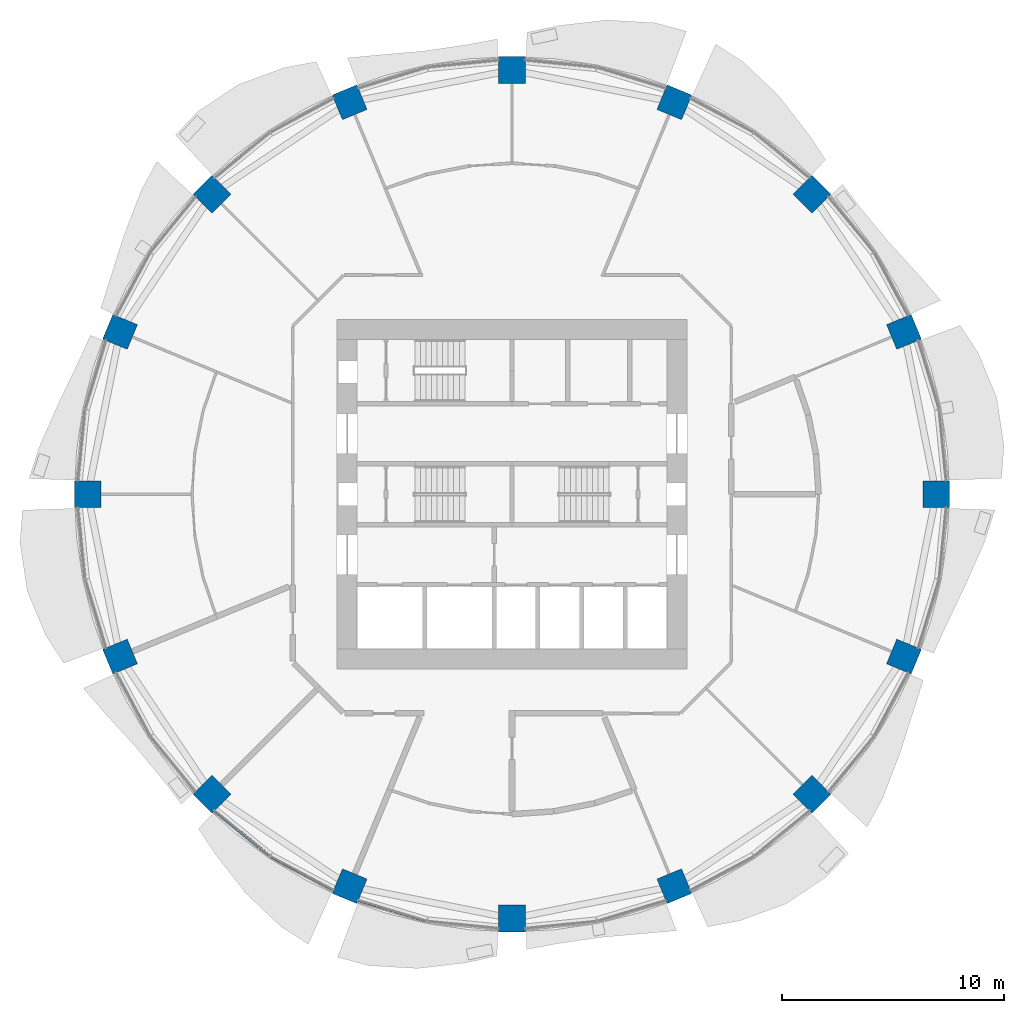
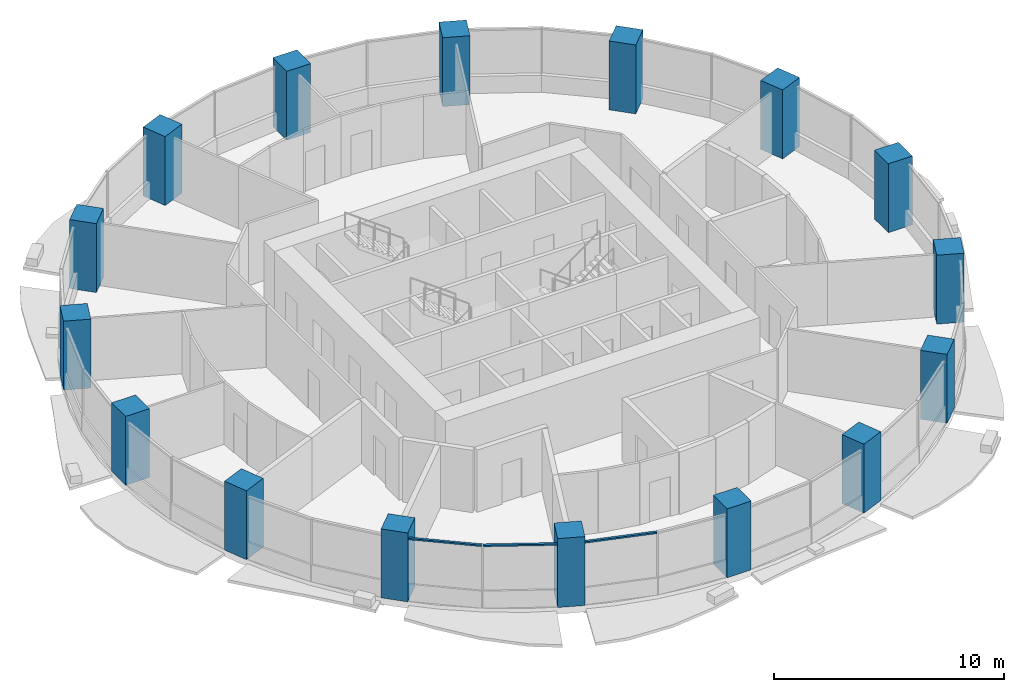
# One storey, part 1 of 15: 16 columns, 3 members, 2 elements without a shape of their own.
"""IFC4 building model written with IfcOpenShell, lengths in metres."""

import ifcopenshell
import ifcopenshell.guid

model = None  # the IFC model being written
_history = None  # IfcOwnerHistory: only IFC2X3 demands one
_inside = {}  # id of a spatial element -> (the spatial element, [elements in it])
_under = {}  # id of a project, library or spatial element -> (it, [spatial elements below it])
_declared = {}  # id of a project -> (the project, [libraries it declares])
_typed = {}  # id of a type object -> (the type object, [elements of that type])
_made_of = {}  # id of a material, layer set ... -> (it, [elements and type objects made of it])


def new_model(schema):
    """Start an empty IFC model of exactly this schema.

    Asked for "IFC4X3", IfcOpenShell would pick the latest addendum, in which some entities
    have other attributes; the version numbers below select the first issue.
    IFC2X3 requires an IfcOwnerHistory on every rooted entity: one is made here for all.
    """
    global model, _history
    if schema == "IFC4X3":
        model = ifcopenshell.file(schema_version=(4, 3, 0, 0))
    else:
        model = ifcopenshell.file(schema=schema)
    _inside.clear()
    _under.clear()
    _declared.clear()
    _typed.clear()
    _made_of.clear()
    _history = None
    if model.schema == "IFC2X3":
        org = make("IfcOrganization", Name="unknown")
        user = make(
            "IfcPersonAndOrganization",
            ThePerson=make("IfcPerson", FamilyName="unknown"),
            TheOrganization=org,
        )
        app = make(
            "IfcApplication",
            ApplicationDeveloper=org,
            Version="unknown",
            ApplicationFullName="unknown",
            ApplicationIdentifier="unknown",
        )
        _history = make(
            "IfcOwnerHistory",
            OwningUser=user,
            OwningApplication=app,
            ChangeAction="ADDED",
            CreationDate=0,
        )
    return model


def make(cls, **values):
    """One entity of the class cls with the attributes given. An attribute that is None is left unset."""
    return model.create_entity(
        cls, **{name: value for name, value in values.items() if value is not None}
    )


def rooted(cls, **values):
    """An entity with a GlobalId (a new one), such as an element, a storey or a relation."""
    return make(cls, GlobalId=ifcopenshell.guid.new(), OwnerHistory=_history, **values)


def si_unit(unit_type, name, prefix=None):
    """IfcSIUnit, for example si_unit("LENGTHUNIT", "METRE", prefix="MILLI")."""
    return make("IfcSIUnit", UnitType=unit_type, Prefix=prefix, Name=name)


def assignment(units):
    """IfcUnitAssignment: the units of a project."""
    return None if units is None else make("IfcUnitAssignment", Units=units)


def point(xyz):
    """IfcCartesianPoint."""
    return None if xyz is None else make("IfcCartesianPoint", Coordinates=xyz)


def direction(xyz):
    """IfcDirection."""
    return None if xyz is None else make("IfcDirection", DirectionRatios=xyz)


def frame(location, z_axis=None, x_axis=None):
    """IfcAxis2Placement3D, a coordinate frame: its origin and axes. An axis left out is left unset."""
    return make(
        "IfcAxis2Placement3D",
        Location=point(location),
        Axis=direction(z_axis),
        RefDirection=direction(x_axis),
    )


def frame_2d(location, x_axis=None):
    """IfcAxis2Placement2D, a coordinate frame in the plane: its origin and x axis."""
    return make(
        "IfcAxis2Placement2D", Location=point(location), RefDirection=direction(x_axis)
    )


def origin():
    """The frame at (0, 0, 0) with its axes left unset."""
    return frame((0.0, 0.0, 0.0))


def origin_2d():
    """The frame at (0, 0) in the plane with its x axis left unset."""
    return frame_2d((0.0, 0.0))


def place(relative_to, where):
    """IfcLocalPlacement: puts the frame where relative to a parent placement (None: the world)."""
    return make(
        "IfcLocalPlacement", PlacementRelTo=relative_to, RelativePlacement=where
    )


def context(
    kind, dimensions, precision=None, world=None, true_north=None, identifier=None
):
    """IfcGeometricRepresentationContext, for example the 3D "Model" context."""
    return make(
        "IfcGeometricRepresentationContext",
        ContextIdentifier=identifier,
        ContextType=kind,
        CoordinateSpaceDimension=dimensions,
        Precision=precision,
        WorldCoordinateSystem=world,
        TrueNorth=true_north,
    )


def subcontext(parent, identifier, kind, view, scale=None):
    """IfcGeometricRepresentationSubContext, for example "Body" below "Model"."""
    return make(
        "IfcGeometricRepresentationSubContext",
        ContextIdentifier=identifier,
        ContextType=kind,
        ParentContext=parent,
        TargetScale=scale,
        TargetView=view,
    )


def project(units=None, contexts=None):
    """IfcProject with its units and contexts."""
    return rooted(
        "IfcProject",
        Name="project",
        RepresentationContexts=contexts,
        UnitsInContext=assignment(units),
    )


def spatial(cls, under=None, at=None, **own):
    """A site, building, storey or space (cls), placed at a placement, below another one or the project."""
    s = rooted(cls, ObjectPlacement=at, **own)
    if under is not None:
        _under.setdefault(under.id(), (under, []))[1].append(s)
    return s


def profile(cls, at=None, kind="AREA", **sizes):
    """A parametric profile (cls). Its sizes go by their IFC names, for example OverallWidth=200.0."""
    return make(cls, ProfileType=kind, Position=at, **sizes)


def rectangle(**sizes):
    """IfcRectangleProfileDef."""
    return profile("IfcRectangleProfileDef", **sizes)


def extrude(swept, where, along, depth):
    """IfcExtrudedAreaSolid: the profile swept, set in the frame where, extruded along a direction by depth."""
    return make(
        "IfcExtrudedAreaSolid",
        SweptArea=swept,
        Position=where,
        ExtrudedDirection=direction(along),
        Depth=depth,
    )


def shape(context_of_items, identifier, shape_type, items):
    """IfcShapeRepresentation: the items that make up one representation, for example the "Body"."""
    return make(
        "IfcShapeRepresentation",
        ContextOfItems=context_of_items,
        RepresentationIdentifier=identifier,
        RepresentationType=shape_type,
        Items=items,
    )


def material(Name=None, Category=None):
    """IfcMaterial."""
    return make("IfcMaterial", Name=Name, Category=Category)


def material_profile(
    of_material, cross_section, Name=None, Category=None, Priority=None
):
    """IfcMaterialProfile: a cross section and its material."""
    return make(
        "IfcMaterialProfile",
        Name=Name,
        Material=of_material,
        Profile=cross_section,
        Priority=Priority,
        Category=Category,
    )


def profile_set(profiles, Name=None, composite=None):
    """IfcMaterialProfileSet."""
    return make(
        "IfcMaterialProfileSet",
        Name=Name,
        MaterialProfiles=profiles,
        CompositeProfile=composite,
    )


def made_of(thing, what):
    """Note that an element or type object is made of a material, layer set ...; save() writes the relation."""
    if what is not None:
        _made_of.setdefault(what.id(), (what, []))[1].append(thing)
    return thing


def type_object(cls, material=None, **own):
    """A type object (cls), such as IfcWallType, which elements share."""
    return made_of(rooted(cls, **own), material)


def element(
    cls,
    number,
    at=None,
    inside=None,
    cuts=None,
    type_object=None,
    material=None,
    context=None,
    identifier="Body",
    shape_type=None,
    held_by="IfcProductDefinitionShape",
    body=None,
    shapes=None,
    **own,
):
    """One element of the class cls, such as IfcWall. Its Tag is "e" and its number.

    at: its placement. inside: the storey or other place that contains it. cuts: it is an
    opening in that element (IfcRelVoidsElement). A single representation is given by context,
    identifier, shape_type and body (its items); several are given by shapes. held_by: the class
    of the entity that holds the representations. save() writes the other relations.
    """
    e = rooted(cls, Tag="e%d" % number, ObjectPlacement=at, **own)
    if body is not None:
        shapes = [shape(context, identifier, shape_type, body)]
    if shapes is not None:
        e.Representation = make(held_by, Representations=shapes)
    if inside is not None:
        _inside.setdefault(inside.id(), (inside, []))[1].append(e)
    if cuts is not None:
        rooted(
            "IfcRelVoidsElement", RelatingBuildingElement=cuts, RelatedOpeningElement=e
        )
    if type_object is not None:
        _typed.setdefault(type_object.id(), (type_object, []))[1].append(e)
    return made_of(e, material)


def aggregate(whole, parts):
    """IfcRelAggregates: a whole, such as a stair, and the parts it consists of."""
    return rooted("IfcRelAggregates", RelatingObject=whole, RelatedObjects=parts)


def save(model, path):
    """Write the relations noted so far, then the file.

    IfcRelAggregates (storeys below a building ...), IfcRelContainedInSpatialStructure (elements
    in a storey), IfcRelDefinesByType, IfcRelAssociatesMaterial and IfcRelDeclares: one each for
    every whole, place, type object, material and project.
    """
    for whole, parts in _under.values():
        aggregate(whole, parts)
    for where, things in _inside.values():
        rooted(
            "IfcRelContainedInSpatialStructure",
            RelatedElements=things,
            RelatingStructure=where,
        )
    for kind, things in _typed.values():
        rooted("IfcRelDefinesByType", RelatedObjects=things, RelatingType=kind)
    for what, things in _made_of.values():
        rooted("IfcRelAssociatesMaterial", RelatedObjects=things, RelatingMaterial=what)
    for by, libraries in _declared.values():
        rooted("IfcRelDeclares", RelatingContext=by, RelatedDefinitions=libraries)
    model.write(path)


model = new_model("IFC4")

# Units and contexts
model_context = context("Model", 3, precision=1e-05, world=origin(), true_north=direction((0.0, 1.0)))
body_context = subcontext(model_context, "Body", "Model", "MODEL_VIEW")
ifc_project = project(units=[si_unit("LENGTHUNIT", "METRE"), si_unit("AREAUNIT", "SQUARE_METRE"), si_unit("VOLUMEUNIT", "CUBIC_METRE"), si_unit("PLANEANGLEUNIT", "RADIAN"), si_unit("MASSUNIT", "GRAM", prefix="KILO")], contexts=[model_context])

# Site, building, storey
site_placement = place(None, origin())
site = spatial("IfcSite", under=ifc_project, at=site_placement, CompositionType="ELEMENT")
building_placement = place(site_placement, origin())
building = spatial("IfcBuilding", under=site, at=building_placement, Name="Polderwave Tower", CompositionType="ELEMENT")
storey_placement = place(building_placement, frame((0.0, 0.0, 40.800048828125)))
storey = spatial("IfcBuildingStorey", under=building, at=storey_placement, Name="L10", CompositionType="ELEMENT", Elevation=40.800048828125)

# Columns
ifc_material_1 = material(Name="Concrete C70/85", Category="concrete")
ifc_material_profile_1 = material_profile(ifc_material_1, rectangle(XDim=1.199951171875, YDim=1.199951171875, at=origin_2d()), Name="RC 1200x1200")
ifc_profile_set_1 = profile_set([ifc_material_profile_1], Name="Concrete C70/85")
column_type = type_object("IfcColumnType", Name="RC COLUMN 1200x1200 C70/85", PredefinedType="COLUMN", material=ifc_profile_set_1)
for number, where, z_axis, x_axis, name in (
    (1, (19.110107421875, 0.0, 0.0), (0.0, 0.0, 1.0), (1.0, 0.0, 0.0), "Ring column 01"),
    (2, (17.6552734375, 7.31298828125, 0.0), (0.0, 0.0, 1.0), (0.923879532511, 0.382683432365, 0.0), "Ring column 02"),
    (3, (13.5126953125, 13.5126953125, 0.0), (0.0, 0.0, 1.0), (0.707106781187, 0.707106781187, 0.0), "Ring column 03"),
    (4, (7.31298828125, 17.6552734375, 0.0), (0.0, 0.0, 1.0), (0.382683432365, 0.923879532511, 0.0), "Ring column 04"),
    (5, (0.0, 19.110107421875, 0.0), (0.0, 0.0, 1.0), (0.0, 1.0, 0.0), "Ring column 05"),
    (6, (-7.31298828125, 17.6552734375, 0.0), (0.0, 0.0, 1.0), (-0.382683432365, 0.923879532511, 0.0), "Ring column 06"),
    (7, (-13.5126953125, 13.5126953125, 0.0), (0.0, 0.0, 1.0), (-0.707106781187, 0.707106781187, 0.0), "Ring column 07"),
    (8, (-17.6552734375, 7.31298828125, 0.0), (0.0, 0.0, 1.0), (-0.923879532511, 0.382683432365, 0.0), "Ring column 08"),
    (9, (-19.110107421875, 0.0, 0.0), (0.0, 0.0, 1.0), (-1.0, 0.0, 0.0), "Ring column 09"),
    (10, (-17.6552734375, -7.31298828125, 0.0), (0.0, 0.0, 1.0), (-0.923879532511, -0.382683432365, 0.0), "Ring column 10"),
    (11, (-13.5126953125, -13.5126953125, 0.0), (0.0, 0.0, 1.0), (-0.707106781187, -0.707106781187, 0.0), "Ring column 11"),
    (12, (-7.31298828125, -17.6552734375, 0.0), (0.0, 0.0, 1.0), (-0.382683432365, -0.923879532511, 0.0), "Ring column 12"),
    (13, (0.0, -19.110107421875, 0.0), (0.0, 0.0, 1.0), (0.0, -1.0, 0.0), "Ring column 13"),
    (14, (7.31298828125, -17.6552734375, 0.0), (0.0, 0.0, 1.0), (0.382683432365, -0.923879532511, 0.0), "Ring column 14"),
    (15, (13.5126953125, -13.5126953125, 0.0), (0.0, 0.0, 1.0), (0.707106781187, -0.707106781187, 0.0), "Ring column 15"),
    (16, (17.6552734375, -7.31298828125, 0.0), (0.0, 0.0, 1.0), (0.923879532511, -0.382683432365, 0.0), "Ring column 16"),
):
    element("IfcColumn", number, at=place(storey_placement, frame(where, z_axis=z_axis, x_axis=x_axis)), inside=storey, type_object=column_type, Name=name, PredefinedType="COLUMN", context=body_context, shape_type="SweptSolid", body=[
        extrude(rectangle(XDim=1.199951171875, YDim=1.199951171875, at=origin_2d()), origin(), (0.0, 0.0, 1.0), 3.64990234375),
    ])

# Curtain wall, members
ifc_material_2 = material(Name="Aluminium 6063-T6 and glass", Category="aluminium")
curtain_wall_type = type_object("IfcCurtainWallType", Name="Growing floor ribbon glazing wall", PredefinedType="NOTDEFINED", material=ifc_material_2)
curtain_wall_1_placement = place(storey_placement, origin())
curtain_wall_1 = element("IfcCurtainWall", 17, at=curtain_wall_1_placement, inside=storey, type_object=curtain_wall_type, Name="CW2 L10 10", PredefinedType="NOTDEFINED")
ifc_material_3 = material(Name="Aluminium 6063-T6", Category="aluminium")
ifc_material_profile_2 = material_profile(ifc_material_3, rectangle(XDim=0.1201171875, YDim=0.080078125, at=origin_2d()), Name="AL 80x120")
ifc_profile_set_2 = profile_set([ifc_material_profile_2], Name="Aluminium 6063-T6")
member_type = type_object("IfcMemberType", Name="Growing floor ribbon glazing transom 80x120", PredefinedType="USERDEFINED", material=ifc_profile_set_2)
member_1_placement = place(storey_placement, frame((-13.39990234375, -14.2490234375, 3.260009765625), z_axis=(0.772980616228, -0.634429639074, 0.0), x_axis=(0.634429639074, 0.772980616228, 0.0)))
member_1 = element("IfcMember", 18, at=member_1_placement, type_object=member_type, Name="CW2 transom 1", ObjectType="TRANSOM", PredefinedType="USERDEFINED", context=body_context, shape_type="SweptSolid", body=[
    extrude(rectangle(XDim=0.1201171875, YDim=0.080078125, at=origin_2d()), origin(), (0.0, 0.0, 1.0), 3.21044921875),
])
member_2_placement = place(storey_placement, frame((-10.868408203125, -16.319091796875, 3.260009765625), z_axis=(0.881933848072, -0.471373193578, 0.0), x_axis=(0.471373193578, 0.881933848072, 0.0)))
member_2 = element("IfcMember", 19, at=member_2_placement, type_object=member_type, Name="CW2 transom 2", ObjectType="TRANSOM", PredefinedType="USERDEFINED", context=body_context, shape_type="SweptSolid", body=[
    extrude(rectangle(XDim=0.1201171875, YDim=0.080078125, at=origin_2d()), origin(), (0.0, 0.0, 1.0), 3.211669921875),
])
aggregate(curtain_wall_1, [member_1, member_2])

# Curtain wall, member
curtain_wall_2_placement = place(storey_placement, origin())
curtain_wall_2 = element("IfcCurtainWall", 20, at=curtain_wall_2_placement, inside=storey, type_object=curtain_wall_type, Name="CW2 L10 11", PredefinedType="NOTDEFINED")
member_3_placement = place(storey_placement, frame((-6.927001953125, -18.2919921875, 3.260009765625), z_axis=(0.956904728961, -0.290402031143, 0.0), x_axis=(0.290402031143, 0.956904728961, 0.0)))
member_3 = element("IfcMember", 21, at=member_3_placement, type_object=member_type, Name="CW2 transom 1", ObjectType="TRANSOM", PredefinedType="USERDEFINED", context=body_context, shape_type="SweptSolid", body=[
    extrude(rectangle(XDim=0.1201171875, YDim=0.080078125, at=origin_2d()), origin(), (0.0, 0.0, 1.0), 3.210693359375),
])
aggregate(curtain_wall_2, [member_3])

save(model, "model.ifc")
